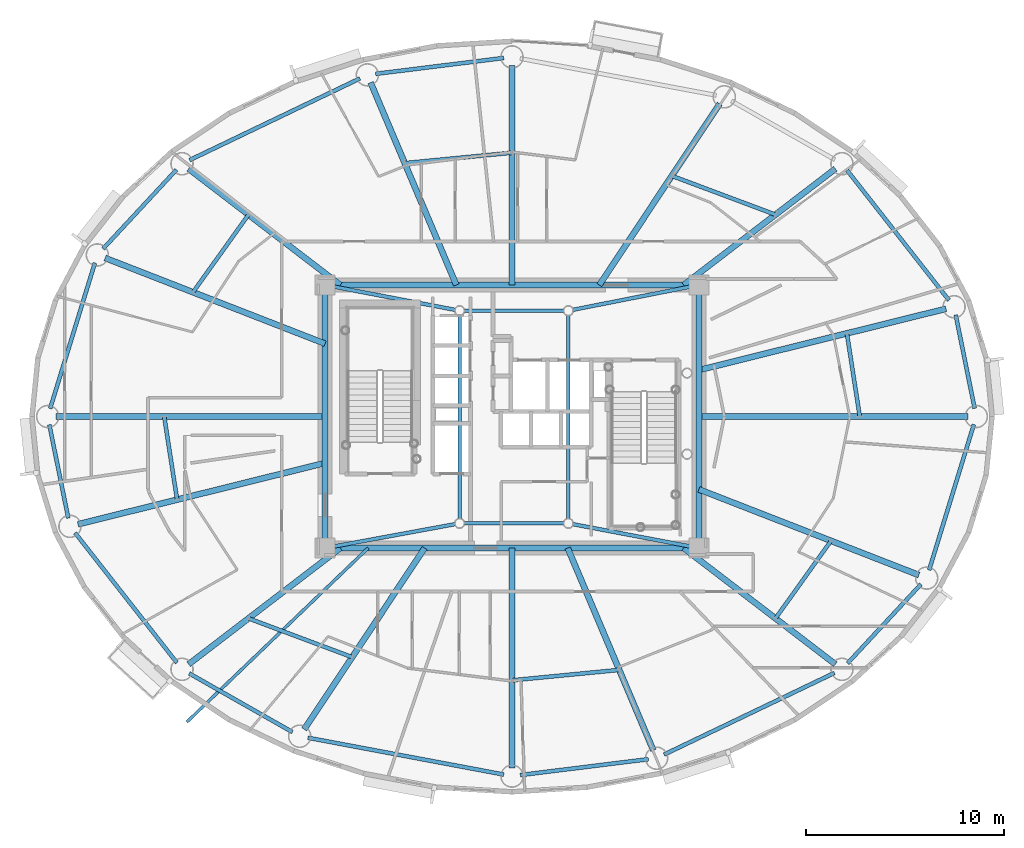
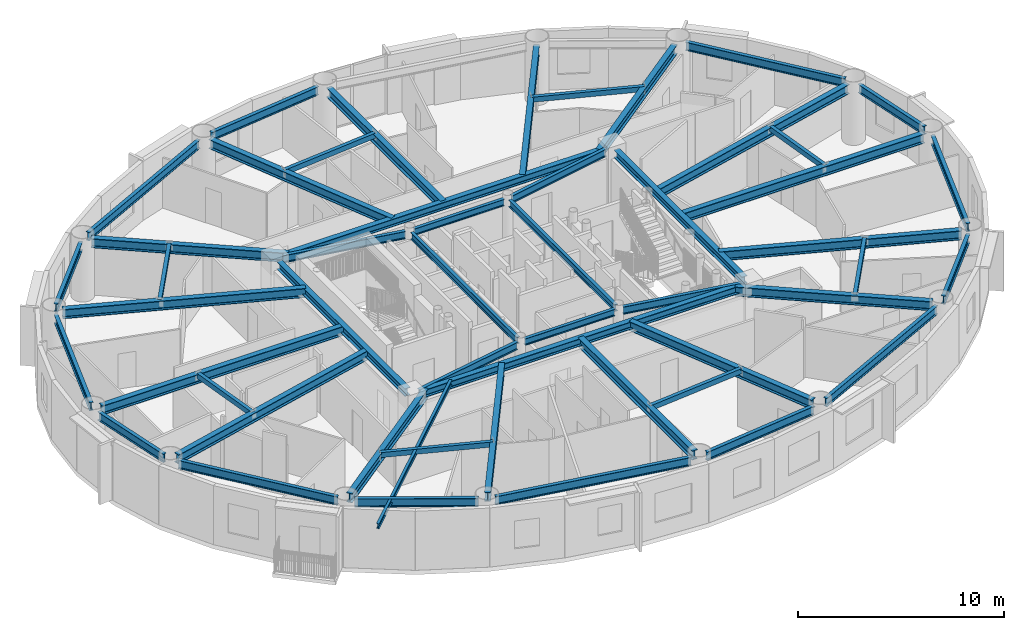
# One storey, part 3 of 20: 51 beams.
"""IFC4 building model written with IfcOpenShell, lengths in metres."""

from ifc_helpers import new_model, si_unit, direction, frame, origin, origin_2d, place, context, subcontext, project, spatial, hollow_rectangle, i_section, extrude, material, material_profile, profile_set, type_object, element, save


model = new_model("IFC4")

# Units and contexts
model_context = context("Model", 3, precision=1e-05, world=origin(), true_north=direction((0.0, 1.0)))
body_context = subcontext(model_context, "Body", "Model", "MODEL_VIEW")
ifc_project = project(units=[si_unit("LENGTHUNIT", "METRE"), si_unit("AREAUNIT", "SQUARE_METRE"), si_unit("VOLUMEUNIT", "CUBIC_METRE"), si_unit("PLANEANGLEUNIT", "RADIAN"), si_unit("MASSUNIT", "GRAM", prefix="KILO")], contexts=[model_context])

# Site, building, storey
site_placement = place(None, origin())
site = spatial("IfcSite", under=ifc_project, at=site_placement, CompositionType="ELEMENT")
building_placement = place(site_placement, origin())
building = spatial("IfcBuilding", under=site, at=building_placement, Name="Linh Dai School and Residence Tower", CompositionType="ELEMENT")
storey_placement = place(building_placement, frame((0.0, 0.0, 232.800048828125)))
storey = spatial("IfcBuildingStorey", under=building, at=storey_placement, Name="L57", CompositionType="ELEMENT", Elevation=232.800048828125)

# Beams
ifc_material = material(Name="Structural Steel S355JR", Category="steel")
ifc_material_profile_1 = material_profile(ifc_material, i_section(OverallWidth=0.14990234375, OverallDepth=0.300048828125, WebThickness=0.007080078125, FlangeThickness=0.0107421875, at=origin_2d()), Name="IPE 300")
ifc_profile_set_1 = profile_set([ifc_material_profile_1], Name="Structural Steel S355JR")
beam_type_1 = type_object("IfcBeamType", Name="BM-BALC-CANT", PredefinedType="BEAM", material=ifc_profile_set_1)
beam_1_placement = place(storey_placement, frame((28.72607421875, 20.35009765625, 3.349853515625), z_axis=(-0.7215581557, -0.692353831464, 0.0), x_axis=(0.692353831464, -0.7215581557, 0.0)))
element("IfcBeam", 1, at=beam_1_placement, inside=storey, type_object=beam_type_1, Name="L58 Balcony Continuous Cantilever Beam 26", PredefinedType="BEAM", context=body_context, shape_type="SweptSolid", body=[
    extrude(i_section(OverallWidth=0.14990234375, OverallDepth=0.300048828125, WebThickness=0.007080078125, FlangeThickness=0.0107421875, at=origin_2d()), origin(), (0.0, 0.0, 1.0), 12.706787109375),
])
ifc_material_profile_2 = material_profile(ifc_material, hollow_rectangle(XDim=0.199951171875, YDim=0.300048828125, WallThickness=0.010009765625, at=origin_2d()), Name="RHS 300x200x10")
ifc_profile_set_2 = profile_set([ifc_material_profile_2], Name="Structural Steel S355JR")
beam_type_2 = type_object("IfcBeamType", Name="BM-BX3", PredefinedType="BEAM", material=ifc_profile_set_2)
beam_2_placement = place(storey_placement, frame((53.583740234375, 27.0048828125, 3.349853515625), z_axis=(-0.153185278766, 0.988197485511, 0.0), x_axis=(-0.988197485511, -0.153185278766, 0.0)))
element("IfcBeam", 2, at=beam_2_placement, inside=storey, type_object=beam_type_2, Name="L57 Secondary Circumferential Floor Beam 01", PredefinedType="BEAM", context=body_context, shape_type="SweptSolid", body=[
    extrude(hollow_rectangle(XDim=0.199951171875, YDim=0.300048828125, WallThickness=0.010009765625, at=origin_2d()), origin(), (0.0, 0.0, 1.0), 4.244140625),
])
beam_3_placement = place(storey_placement, frame((49.3173828125, 37.207763671875, 3.349853515625), z_axis=(-0.936542736839, 0.350553422567, 0.0), x_axis=(-0.350553422567, -0.936542736839, 0.0)))
element("IfcBeam", 3, at=beam_3_placement, inside=storey, type_object=beam_type_2, Name="L57 Secondary Circumferential Floor Beam 02", PredefinedType="BEAM", context=body_context, shape_type="SweptSolid", body=[
    extrude(hollow_rectangle(XDim=0.199951171875, YDim=0.300048828125, WallThickness=0.010009765625, at=origin_2d()), origin(), (0.0, 0.0, 1.0), 5.586181640625),
])
beam_4_placement = place(storey_placement, frame((35.9951171875, 40.3369140625, 3.349853515625), z_axis=(-0.99533180868, -0.096512126851, 0.0), x_axis=(0.096512126851, -0.99533180868, 0.0)))
element("IfcBeam", 4, at=beam_4_placement, inside=storey, type_object=beam_type_2, Name="L57 Secondary Circumferential Floor Beam 03", PredefinedType="BEAM", context=body_context, shape_type="SweptSolid", body=[
    extrude(hollow_rectangle(XDim=0.199951171875, YDim=0.300048828125, WallThickness=0.010009765625, at=origin_2d()), origin(), (0.0, 0.0, 1.0), 5.438720703125),
])
beam_5_placement = place(storey_placement, frame((22.675048828125, 37.201904296875, 3.349853515625), z_axis=(-0.582034525951, -0.813164073605, 0.0), x_axis=(0.813164073605, -0.582034525951, 0.0)))
element("IfcBeam", 5, at=beam_5_placement, inside=storey, type_object=beam_type_2, Name="L57 Secondary Circumferential Floor Beam 04", PredefinedType="BEAM", context=body_context, shape_type="SweptSolid", body=[
    extrude(hollow_rectangle(XDim=0.199951171875, YDim=0.300048828125, WallThickness=0.010009765625, at=origin_2d()), origin(), (0.0, 0.0, 1.0), 4.8125),
])
beam_6_placement = place(storey_placement, frame((18.416259765625, 26.9951171875, 3.349853515625), z_axis=(0.153185278766, -0.988197485511, 0.0), x_axis=(0.988197485511, 0.153185278766, 0.0)))
element("IfcBeam", 6, at=beam_6_placement, inside=storey, type_object=beam_type_2, Name="L57 Secondary Circumferential Floor Beam 05", PredefinedType="BEAM", context=body_context, shape_type="SweptSolid", body=[
    extrude(hollow_rectangle(XDim=0.199951171875, YDim=0.300048828125, WallThickness=0.010009765625, at=origin_2d()), origin(), (0.0, 0.0, 1.0), 4.244140625),
])
beam_7_placement = place(storey_placement, frame((22.6826171875, 16.792236328125, 3.349853515625), z_axis=(0.936542736839, -0.350553422567, 0.0), x_axis=(0.350553422567, 0.936542736839, 0.0)))
element("IfcBeam", 7, at=beam_7_placement, inside=storey, type_object=beam_type_2, Name="L57 Secondary Circumferential Floor Beam 06", PredefinedType="BEAM", context=body_context, shape_type="SweptSolid", body=[
    extrude(hollow_rectangle(XDim=0.199951171875, YDim=0.300048828125, WallThickness=0.010009765625, at=origin_2d()), origin(), (0.0, 0.0, 1.0), 5.586181640625),
])
beam_8_placement = place(storey_placement, frame((36.0048828125, 13.6630859375, 3.349853515625), z_axis=(0.99533180868, 0.096512126851, 0.0), x_axis=(-0.096512126851, 0.99533180868, 0.0)))
element("IfcBeam", 8, at=beam_8_placement, inside=storey, type_object=beam_type_2, Name="L57 Secondary Circumferential Floor Beam 07", PredefinedType="BEAM", context=body_context, shape_type="SweptSolid", body=[
    extrude(hollow_rectangle(XDim=0.199951171875, YDim=0.300048828125, WallThickness=0.010009765625, at=origin_2d()), origin(), (0.0, 0.0, 1.0), 5.438720703125),
])
beam_9_placement = place(storey_placement, frame((49.324951171875, 16.798095703125, 3.349853515625), z_axis=(0.582034525951, 0.813164073605, 0.0), x_axis=(-0.813164073605, 0.582034525951, 0.0)))
element("IfcBeam", 9, at=beam_9_placement, inside=storey, type_object=beam_type_2, Name="L57 Secondary Circumferential Floor Beam 08", PredefinedType="BEAM", context=body_context, shape_type="SweptSolid", body=[
    extrude(hollow_rectangle(XDim=0.199951171875, YDim=0.300048828125, WallThickness=0.010009765625, at=origin_2d()), origin(), (0.0, 0.0, 1.0), 4.8125),
])
ifc_material_profile_3 = material_profile(ifc_material, i_section(OverallWidth=0.199951171875, OverallDepth=0.5, WebThickness=0.01025390625, FlangeThickness=0.01611328125, FilletRadius=0.02099609375, at=origin_2d()), Name="IPE 500")
ifc_profile_set_3 = profile_set([ifc_material_profile_3], Name="Structural Steel S355JR")
beam_type_3 = type_object("IfcBeamType", Name="BM-RB50", PredefinedType="BEAM", material=ifc_profile_set_3)
beam_10_placement = place(storey_placement, frame((59.3916015625, 27.41162109375, 3.25), z_axis=(-0.198423200906, 0.980116438666, 0.0), x_axis=(-0.980116438666, -0.198423200906, 0.0)))
element("IfcBeam", 10, at=beam_10_placement, inside=storey, type_object=beam_type_3, Name="L57 Perimeter Elliptical Ring Beam 01", PredefinedType="BEAM", context=body_context, shape_type="SweptSolid", body=[
    extrude(i_section(OverallWidth=0.199951171875, OverallDepth=0.5, WebThickness=0.01025390625, FlangeThickness=0.01611328125, FilletRadius=0.02099609375, at=origin_2d()), origin(), (0.0, 0.0, 1.0), 4.822021484375),
])
beam_11_placement = place(storey_placement, frame((58.09228515625, 32.8798828125, 3.25), z_axis=(-0.616900268003, 0.787041332674, 0.0), x_axis=(-0.787041332674, -0.616900268003, 0.0)))
element("IfcBeam", 11, at=beam_11_placement, inside=storey, type_object=beam_type_3, Name="L57 Perimeter Elliptical Ring Beam 02", PredefinedType="BEAM", context=body_context, shape_type="SweptSolid", body=[
    extrude(i_section(OverallWidth=0.199951171875, OverallDepth=0.5, WebThickness=0.01025390625, FlangeThickness=0.01611328125, FilletRadius=0.02099609375, at=origin_2d()), origin(), (0.0, 0.0, 1.0), 8.348388671875),
])
beam_12_placement = place(storey_placement, frame((35.583251953125, 45.12841796875, 3.25), z_axis=(-0.992401656104, -0.123040452539, 0.0), x_axis=(0.123040452539, -0.992401656104, 0.0)))
element("IfcBeam", 12, at=beam_12_placement, inside=storey, type_object=beam_type_3, Name="L57 Perimeter Elliptical Ring Beam 05", PredefinedType="BEAM", context=body_context, shape_type="SweptSolid", body=[
    extrude(i_section(OverallWidth=0.199951171875, OverallDepth=0.5, WebThickness=0.01025390625, FlangeThickness=0.01611328125, FilletRadius=0.02099609375, at=origin_2d()), origin(), (0.0, 0.0, 1.0), 6.528076171875),
])
beam_13_placement = place(storey_placement, frame((28.309326171875, 44.092041015625, 3.25), z_axis=(-0.901735920201, -0.432287323686, 0.0), x_axis=(0.432287323686, -0.901735920201, 0.0)))
element("IfcBeam", 13, at=beam_13_placement, inside=storey, type_object=beam_type_3, Name="L57 Perimeter Elliptical Ring Beam 06", PredefinedType="BEAM", context=body_context, shape_type="SweptSolid", body=[
    extrude(i_section(OverallWidth=0.199951171875, OverallDepth=0.5, WebThickness=0.01025390625, FlangeThickness=0.01611328125, FilletRadius=0.02099609375, at=origin_2d()), origin(), (0.0, 0.0, 1.0), 9.552490234375),
])
beam_14_placement = place(storey_placement, frame((19.031005859375, 39.47314453125, 3.25), z_axis=(-0.68040816846, -0.732833353699, 0.0), x_axis=(0.732833353699, -0.68040816846, 0.0)))
element("IfcBeam", 14, at=beam_14_placement, inside=storey, type_object=beam_type_3, Name="L57 Perimeter Elliptical Ring Beam 07", PredefinedType="BEAM", context=body_context, shape_type="SweptSolid", body=[
    extrude(i_section(OverallWidth=0.199951171875, OverallDepth=0.5, WebThickness=0.01025390625, FlangeThickness=0.01611328125, FilletRadius=0.02099609375, at=origin_2d()), origin(), (0.0, 0.0, 1.0), 5.453369140625),
])
beam_15_placement = place(storey_placement, frame((14.911376953125, 34.767578125, 3.25), z_axis=(-0.293660595717, -0.95590975229, 0.0), x_axis=(0.95590975229, -0.293660595717, 0.0)))
element("IfcBeam", 15, at=beam_15_placement, inside=storey, type_object=beam_type_3, Name="L57 Perimeter Elliptical Ring Beam 08", PredefinedType="BEAM", context=body_context, shape_type="SweptSolid", body=[
    extrude(i_section(OverallWidth=0.199951171875, OverallDepth=0.5, WebThickness=0.01025390625, FlangeThickness=0.01611328125, FilletRadius=0.02099609375, at=origin_2d()), origin(), (0.0, 0.0, 1.0), 7.7060546875),
])
beam_16_placement = place(storey_placement, frame((12.6083984375, 26.58837890625, 3.25), z_axis=(0.198423200906, -0.980116438666, 0.0), x_axis=(0.980116438666, 0.198423200906, 0.0)))
element("IfcBeam", 16, at=beam_16_placement, inside=storey, type_object=beam_type_3, Name="L57 Perimeter Elliptical Ring Beam 09", PredefinedType="BEAM", context=body_context, shape_type="SweptSolid", body=[
    extrude(i_section(OverallWidth=0.199951171875, OverallDepth=0.5, WebThickness=0.01025390625, FlangeThickness=0.01611328125, FilletRadius=0.02099609375, at=origin_2d()), origin(), (0.0, 0.0, 1.0), 4.822021484375),
])
beam_17_placement = place(storey_placement, frame((13.90771484375, 21.1201171875, 3.25), z_axis=(0.616900268003, -0.787041332674, 0.0), x_axis=(0.787041332674, 0.616900268003, 0.0)))
element("IfcBeam", 17, at=beam_17_placement, inside=storey, type_object=beam_type_3, Name="L57 Perimeter Elliptical Ring Beam 10", PredefinedType="BEAM", context=body_context, shape_type="SweptSolid", body=[
    extrude(i_section(OverallWidth=0.199951171875, OverallDepth=0.5, WebThickness=0.01025390625, FlangeThickness=0.01611328125, FilletRadius=0.02099609375, at=origin_2d()), origin(), (0.0, 0.0, 1.0), 8.348388671875),
])
beam_18_placement = place(storey_placement, frame((19.681884765625, 14.011474609375, 3.25), z_axis=(0.869297314463, -0.494289570058, 0.0), x_axis=(0.494289570058, 0.869297314463, 0.0)))
element("IfcBeam", 18, at=beam_18_placement, inside=storey, type_object=beam_type_3, Name="L57 Perimeter Elliptical Ring Beam 11", PredefinedType="BEAM", context=body_context, shape_type="SweptSolid", body=[
    extrude(i_section(OverallWidth=0.199951171875, OverallDepth=0.5, WebThickness=0.01025390625, FlangeThickness=0.01611328125, FilletRadius=0.02099609375, at=origin_2d()), origin(), (0.0, 0.0, 1.0), 6.003173828125),
])
beam_19_placement = place(storey_placement, frame((25.67822265625, 10.759033203125, 3.25), z_axis=(0.982806607762, -0.184637947722, 0.0), x_axis=(0.184637947722, 0.982806607762, 0.0)))
element("IfcBeam", 19, at=beam_19_placement, inside=storey, type_object=beam_type_3, Name="L57 Perimeter Elliptical Ring Beam 12", PredefinedType="BEAM", context=body_context, shape_type="SweptSolid", body=[
    extrude(i_section(OverallWidth=0.199951171875, OverallDepth=0.5, WebThickness=0.01025390625, FlangeThickness=0.01611328125, FilletRadius=0.02099609375, at=origin_2d()), origin(), (0.0, 0.0, 1.0), 10.082275390625),
])
beam_20_placement = place(storey_placement, frame((36.416748046875, 8.87158203125, 3.25), z_axis=(0.992401656104, 0.123040452539, 0.0), x_axis=(-0.123040452539, 0.992401656104, 0.0)))
element("IfcBeam", 20, at=beam_20_placement, inside=storey, type_object=beam_type_3, Name="L57 Perimeter Elliptical Ring Beam 13", PredefinedType="BEAM", context=body_context, shape_type="SweptSolid", body=[
    extrude(i_section(OverallWidth=0.199951171875, OverallDepth=0.5, WebThickness=0.01025390625, FlangeThickness=0.01611328125, FilletRadius=0.02099609375, at=origin_2d()), origin(), (0.0, 0.0, 1.0), 6.528076171875),
])
beam_21_placement = place(storey_placement, frame((43.690673828125, 9.907958984375, 3.25), z_axis=(0.901735920201, 0.432287323686, 0.0), x_axis=(-0.432287323686, 0.901735920201, 0.0)))
element("IfcBeam", 21, at=beam_21_placement, inside=storey, type_object=beam_type_3, Name="L57 Perimeter Elliptical Ring Beam 14", PredefinedType="BEAM", context=body_context, shape_type="SweptSolid", body=[
    extrude(i_section(OverallWidth=0.199951171875, OverallDepth=0.5, WebThickness=0.01025390625, FlangeThickness=0.01611328125, FilletRadius=0.02099609375, at=origin_2d()), origin(), (0.0, 0.0, 1.0), 9.552490234375),
])
beam_22_placement = place(storey_placement, frame((52.968994140625, 14.52685546875, 3.25), z_axis=(0.68040816846, 0.732833353699, 0.0), x_axis=(-0.732833353699, 0.68040816846, 0.0)))
element("IfcBeam", 22, at=beam_22_placement, inside=storey, type_object=beam_type_3, Name="L57 Perimeter Elliptical Ring Beam 15", PredefinedType="BEAM", context=body_context, shape_type="SweptSolid", body=[
    extrude(i_section(OverallWidth=0.199951171875, OverallDepth=0.5, WebThickness=0.01025390625, FlangeThickness=0.01611328125, FilletRadius=0.02099609375, at=origin_2d()), origin(), (0.0, 0.0, 1.0), 5.453369140625),
])
beam_23_placement = place(storey_placement, frame((57.088623046875, 19.232421875, 3.25), z_axis=(0.293660595717, 0.95590975229, 0.0), x_axis=(-0.95590975229, 0.293660595717, 0.0)))
element("IfcBeam", 23, at=beam_23_placement, inside=storey, type_object=beam_type_3, Name="L57 Perimeter Elliptical Ring Beam 16", PredefinedType="BEAM", context=body_context, shape_type="SweptSolid", body=[
    extrude(i_section(OverallWidth=0.199951171875, OverallDepth=0.5, WebThickness=0.01025390625, FlangeThickness=0.01611328125, FilletRadius=0.02099609375, at=origin_2d()), origin(), (0.0, 0.0, 1.0), 7.7060546875),
])
ifc_material_profile_4 = material_profile(ifc_material, i_section(OverallWidth=0.300048828125, OverallDepth=0.449951171875, WebThickness=0.013916015625, FlangeThickness=0.02587890625, FilletRadius=0.027099609375, at=origin_2d()), Name="HEB 450")
ifc_profile_set_4 = profile_set([ifc_material_profile_4], Name="Structural Steel S355JR")
beam_type_4 = type_object("IfcBeamType", Name="BM-RG45", PredefinedType="BEAM", material=ifc_profile_set_4)
beam_24_placement = place(storey_placement, frame((26.969970703125, 20.35009765625, 3.27490234375), z_axis=(1.0, 0.0, 0.0), x_axis=(0.0, 1.0, 0.0)))
element("IfcBeam", 24, at=beam_24_placement, inside=storey, type_object=beam_type_4, Name="L57 Core Perimeter Coupling Girder 1", PredefinedType="BEAM", context=body_context, shape_type="SweptSolid", body=[
    extrude(i_section(OverallWidth=0.300048828125, OverallDepth=0.449951171875, WebThickness=0.013916015625, FlangeThickness=0.02587890625, FilletRadius=0.027099609375, at=origin_2d()), origin(), (0.0, 0.0, 1.0), 18.06005859375),
])
beam_25_placement = place(storey_placement, frame((45.449951171875, 20.77001953125, 3.27490234375), z_axis=(0.0, 1.0, 0.0), x_axis=(-1.0, 0.0, 0.0)))
element("IfcBeam", 25, at=beam_25_placement, inside=storey, type_object=beam_type_4, Name="L57 Core Perimeter Coupling Girder 2", PredefinedType="BEAM", context=body_context, shape_type="SweptSolid", body=[
    extrude(i_section(OverallWidth=0.300048828125, OverallDepth=0.449951171875, WebThickness=0.013916015625, FlangeThickness=0.02587890625, FilletRadius=0.027099609375, at=origin_2d()), origin(), (0.0, 0.0, 1.0), 12.4599609375),
])
beam_26_placement = place(storey_placement, frame((45.030029296875, 33.64990234375, 3.27490234375), z_axis=(-1.0, 0.0, 0.0), x_axis=(0.0, -1.0, 0.0)))
element("IfcBeam", 26, at=beam_26_placement, inside=storey, type_object=beam_type_4, Name="L57 Core Perimeter Coupling Girder 3", PredefinedType="BEAM", context=body_context, shape_type="SweptSolid", body=[
    extrude(i_section(OverallWidth=0.300048828125, OverallDepth=0.449951171875, WebThickness=0.013916015625, FlangeThickness=0.02587890625, FilletRadius=0.027099609375, at=origin_2d()), origin(), (0.0, 0.0, 1.0), 18.06005859375),
])
beam_27_placement = place(storey_placement, frame((26.550048828125, 33.22998046875, 3.27490234375), z_axis=(0.0, -1.0, 0.0), x_axis=(1.0, 0.0, 0.0)))
element("IfcBeam", 27, at=beam_27_placement, inside=storey, type_object=beam_type_4, Name="L57 Core Perimeter Coupling Girder 4", PredefinedType="BEAM", context=body_context, shape_type="SweptSolid", body=[
    extrude(i_section(OverallWidth=0.300048828125, OverallDepth=0.449951171875, WebThickness=0.013916015625, FlangeThickness=0.02587890625, FilletRadius=0.027099609375, at=origin_2d()), origin(), (0.0, 0.0, 1.0), 12.4599609375),
])
ifc_material_profile_5 = material_profile(ifc_material, i_section(OverallWidth=0.300048828125, OverallDepth=0.550048828125, WebThickness=0.014892578125, FlangeThickness=0.029052734375, FilletRadius=0.027099609375, at=origin_2d()), Name="HEB 550")
ifc_profile_set_5 = profile_set([ifc_material_profile_5], Name="Structural Steel S355JR")
beam_type_5 = type_object("IfcBeamType", Name="BM-RG55", PredefinedType="BEAM", material=ifc_profile_set_5)
beam_28_placement = place(storey_placement, frame((45.449951171875, 27.0, 3.224853515625), z_axis=(1.0, 0.0, 0.0), x_axis=(0.0, 1.0, 0.0)))
element("IfcBeam", 28, at=beam_28_placement, inside=storey, type_object=beam_type_5, Name="L57 Primary Radial Floor Girder 01", PredefinedType="BEAM", context=body_context, shape_type="SweptSolid", body=[
    extrude(i_section(OverallWidth=0.300048828125, OverallDepth=0.550048828125, WebThickness=0.014892578125, FlangeThickness=0.029052734375, FilletRadius=0.027099609375, at=origin_2d()), origin(), (0.0, 0.0, 1.0), 13.60498046875),
])
beam_29_placement = place(storey_placement, frame((45.449951171875, 29.34619140625, 3.224853515625), z_axis=(0.970537241974, 0.240951160904, 0.0), x_axis=(-0.240951160904, 0.970537241974, 0.0)))
element("IfcBeam", 29, at=beam_29_placement, inside=storey, type_object=beam_type_5, Name="L57 Primary Radial Floor Girder 02", PredefinedType="BEAM", context=body_context, shape_type="SweptSolid", body=[
    extrude(i_section(OverallWidth=0.300048828125, OverallDepth=0.550048828125, WebThickness=0.014892578125, FlangeThickness=0.029052734375, FilletRadius=0.027099609375, at=origin_2d()), origin(), (0.0, 0.0, 1.0), 12.873291015625),
])
beam_30_placement = place(storey_placement, frame((44.680419921875, 33.64990234375, 3.224853515625), z_axis=(0.793814553483, 0.608159892363, 0.0), x_axis=(-0.608159892363, 0.793814553483, 0.0)))
element("IfcBeam", 30, at=beam_30_placement, inside=storey, type_object=beam_type_5, Name="L57 Primary Radial Floor Girder 03", PredefinedType="BEAM", context=body_context, shape_type="SweptSolid", body=[
    extrude(i_section(OverallWidth=0.300048828125, OverallDepth=0.550048828125, WebThickness=0.014892578125, FlangeThickness=0.029052734375, FilletRadius=0.027099609375, at=origin_2d()), origin(), (0.0, 0.0, 1.0), 9.661376953125),
])
beam_31_placement = place(storey_placement, frame((40.41650390625, 33.64990234375, 3.224853515625), z_axis=(0.553219177991, 0.833035738191, 0.0), x_axis=(-0.833035738191, 0.553219177991, 0.0)))
element("IfcBeam", 31, at=beam_31_placement, inside=storey, type_object=beam_type_5, Name="L57 Primary Radial Floor Girder 04", PredefinedType="BEAM", context=body_context, shape_type="SweptSolid", body=[
    extrude(i_section(OverallWidth=0.300048828125, OverallDepth=0.550048828125, WebThickness=0.014892578125, FlangeThickness=0.029052734375, FilletRadius=0.027099609375, at=origin_2d()), origin(), (0.0, 0.0, 1.0), 11.00048828125),
])
beam_32_placement = place(storey_placement, frame((36.0, 33.64990234375, 3.224853515625), z_axis=(0.0, 1.0, 0.0), x_axis=(-1.0, 0.0, 0.0)))
element("IfcBeam", 32, at=beam_32_placement, inside=storey, type_object=beam_type_5, Name="L57 Primary Radial Floor Girder 05", PredefinedType="BEAM", context=body_context, shape_type="SweptSolid", body=[
    extrude(i_section(OverallWidth=0.300048828125, OverallDepth=0.550048828125, WebThickness=0.014892578125, FlangeThickness=0.029052734375, FilletRadius=0.027099609375, at=origin_2d()), origin(), (0.0, 0.0, 1.0), 11.110107421875),
])
beam_33_placement = place(storey_placement, frame((33.18505859375, 33.64990234375, 3.224853515625), z_axis=(-0.389814803082, 0.920893272479, 0.0), x_axis=(-0.920893272479, -0.389814803082, 0.0)))
element("IfcBeam", 33, at=beam_33_placement, inside=storey, type_object=beam_type_5, Name="L57 Primary Radial Floor Girder 06", PredefinedType="BEAM", context=body_context, shape_type="SweptSolid", body=[
    extrude(i_section(OverallWidth=0.300048828125, OverallDepth=0.550048828125, WebThickness=0.014892578125, FlangeThickness=0.029052734375, FilletRadius=0.027099609375, at=origin_2d()), origin(), (0.0, 0.0, 1.0), 11.1162109375),
])
beam_34_placement = place(storey_placement, frame((27.319580078125, 33.64990234375, 3.224853515625), z_axis=(-0.793814553483, 0.608159892363, 0.0), x_axis=(-0.608159892363, -0.793814553483, 0.0)))
element("IfcBeam", 34, at=beam_34_placement, inside=storey, type_object=beam_type_5, Name="L57 Primary Radial Floor Girder 07", PredefinedType="BEAM", context=body_context, shape_type="SweptSolid", body=[
    extrude(i_section(OverallWidth=0.300048828125, OverallDepth=0.550048828125, WebThickness=0.014892578125, FlangeThickness=0.029052734375, FilletRadius=0.027099609375, at=origin_2d()), origin(), (0.0, 0.0, 1.0), 9.661376953125),
])
beam_35_placement = place(storey_placement, frame((26.550048828125, 30.68212890625, 3.224853515625), z_axis=(-0.931764994123, 0.363061972295, 0.0), x_axis=(-0.363061972295, -0.931764994123, 0.0)))
element("IfcBeam", 35, at=beam_35_placement, inside=storey, type_object=beam_type_5, Name="L57 Primary Radial Floor Girder 08", PredefinedType="BEAM", context=body_context, shape_type="SweptSolid", body=[
    extrude(i_section(OverallWidth=0.300048828125, OverallDepth=0.550048828125, WebThickness=0.014892578125, FlangeThickness=0.029052734375, FilletRadius=0.027099609375, at=origin_2d()), origin(), (0.0, 0.0, 1.0), 11.938720703125),
])
beam_36_placement = place(storey_placement, frame((26.550048828125, 27.0, 3.224853515625), z_axis=(-1.0, 0.0, 0.0), x_axis=(0.0, -1.0, 0.0)))
element("IfcBeam", 36, at=beam_36_placement, inside=storey, type_object=beam_type_5, Name="L57 Primary Radial Floor Girder 09", PredefinedType="BEAM", context=body_context, shape_type="SweptSolid", body=[
    extrude(i_section(OverallWidth=0.300048828125, OverallDepth=0.550048828125, WebThickness=0.014892578125, FlangeThickness=0.029052734375, FilletRadius=0.027099609375, at=origin_2d()), origin(), (0.0, 0.0, 1.0), 13.60498046875),
])
beam_37_placement = place(storey_placement, frame((26.550048828125, 24.65380859375, 3.224853515625), z_axis=(-0.970537241974, -0.240951160904, 0.0), x_axis=(0.240951160904, -0.970537241974, 0.0)))
element("IfcBeam", 37, at=beam_37_placement, inside=storey, type_object=beam_type_5, Name="L57 Primary Radial Floor Girder 10", PredefinedType="BEAM", context=body_context, shape_type="SweptSolid", body=[
    extrude(i_section(OverallWidth=0.300048828125, OverallDepth=0.550048828125, WebThickness=0.014892578125, FlangeThickness=0.029052734375, FilletRadius=0.027099609375, at=origin_2d()), origin(), (0.0, 0.0, 1.0), 12.873291015625),
])
beam_38_placement = place(storey_placement, frame((27.319580078125, 20.35009765625, 3.224853515625), z_axis=(-0.793814553483, -0.608159892363, 0.0), x_axis=(0.608159892363, -0.793814553483, 0.0)))
element("IfcBeam", 38, at=beam_38_placement, inside=storey, type_object=beam_type_5, Name="L57 Primary Radial Floor Girder 11", PredefinedType="BEAM", context=body_context, shape_type="SweptSolid", body=[
    extrude(i_section(OverallWidth=0.300048828125, OverallDepth=0.550048828125, WebThickness=0.014892578125, FlangeThickness=0.029052734375, FilletRadius=0.027099609375, at=origin_2d()), origin(), (0.0, 0.0, 1.0), 9.661376953125),
])
beam_39_placement = place(storey_placement, frame((31.58349609375, 20.35009765625, 3.224853515625), z_axis=(-0.553219177991, -0.833035738191, 0.0), x_axis=(0.833035738191, -0.553219177991, 0.0)))
element("IfcBeam", 39, at=beam_39_placement, inside=storey, type_object=beam_type_5, Name="L57 Primary Radial Floor Girder 12", PredefinedType="BEAM", context=body_context, shape_type="SweptSolid", body=[
    extrude(i_section(OverallWidth=0.300048828125, OverallDepth=0.550048828125, WebThickness=0.014892578125, FlangeThickness=0.029052734375, FilletRadius=0.027099609375, at=origin_2d()), origin(), (0.0, 0.0, 1.0), 11.00048828125),
])
beam_40_placement = place(storey_placement, frame((36.0, 20.35009765625, 3.224853515625), z_axis=(0.0, -1.0, 0.0), x_axis=(1.0, 0.0, 0.0)))
element("IfcBeam", 40, at=beam_40_placement, inside=storey, type_object=beam_type_5, Name="L57 Primary Radial Floor Girder 13", PredefinedType="BEAM", context=body_context, shape_type="SweptSolid", body=[
    extrude(i_section(OverallWidth=0.300048828125, OverallDepth=0.550048828125, WebThickness=0.014892578125, FlangeThickness=0.029052734375, FilletRadius=0.027099609375, at=origin_2d()), origin(), (0.0, 0.0, 1.0), 11.110107421875),
])
beam_41_placement = place(storey_placement, frame((38.81494140625, 20.35009765625, 3.224853515625), z_axis=(0.389814803082, -0.920893272479, 0.0), x_axis=(0.920893272479, 0.389814803082, 0.0)))
element("IfcBeam", 41, at=beam_41_placement, inside=storey, type_object=beam_type_5, Name="L57 Primary Radial Floor Girder 14", PredefinedType="BEAM", context=body_context, shape_type="SweptSolid", body=[
    extrude(i_section(OverallWidth=0.300048828125, OverallDepth=0.550048828125, WebThickness=0.014892578125, FlangeThickness=0.029052734375, FilletRadius=0.027099609375, at=origin_2d()), origin(), (0.0, 0.0, 1.0), 11.1162109375),
])
beam_42_placement = place(storey_placement, frame((44.680419921875, 20.35009765625, 3.224853515625), z_axis=(0.793814553483, -0.608159892363, 0.0), x_axis=(0.608159892363, 0.793814553483, 0.0)))
element("IfcBeam", 42, at=beam_42_placement, inside=storey, type_object=beam_type_5, Name="L57 Primary Radial Floor Girder 15", PredefinedType="BEAM", context=body_context, shape_type="SweptSolid", body=[
    extrude(i_section(OverallWidth=0.300048828125, OverallDepth=0.550048828125, WebThickness=0.014892578125, FlangeThickness=0.029052734375, FilletRadius=0.027099609375, at=origin_2d()), origin(), (0.0, 0.0, 1.0), 9.661376953125),
])
beam_43_placement = place(storey_placement, frame((45.449951171875, 23.31787109375, 3.224853515625), z_axis=(0.931764994123, -0.363061972295, 0.0), x_axis=(0.363061972295, 0.931764994123, 0.0)))
element("IfcBeam", 43, at=beam_43_placement, inside=storey, type_object=beam_type_5, Name="L57 Primary Radial Floor Girder 16", PredefinedType="BEAM", context=body_context, shape_type="SweptSolid", body=[
    extrude(i_section(OverallWidth=0.300048828125, OverallDepth=0.550048828125, WebThickness=0.014892578125, FlangeThickness=0.029052734375, FilletRadius=0.027099609375, at=origin_2d()), origin(), (0.0, 0.0, 1.0), 11.938720703125),
])
ifc_material_profile_6 = material_profile(ifc_material, i_section(OverallWidth=0.179931640625, OverallDepth=0.39990234375, WebThickness=0.008544921875, FlangeThickness=0.013427734375, FilletRadius=0.02099609375, at=origin_2d()), Name="IPE 400")
ifc_profile_set_6 = profile_set([ifc_material_profile_6], Name="Structural Steel S355JR")
beam_type_6 = type_object("IfcBeamType", Name="BM-SB40", PredefinedType="BEAM", material=ifc_profile_set_6)
beam_44_placement = place(storey_placement, frame((33.573974609375, 21.60009765625, 3.300048828125), z_axis=(1.0, 0.0, 0.0), x_axis=(0.0, 1.0, 0.0)))
element("IfcBeam", 44, at=beam_44_placement, inside=storey, type_object=beam_type_6, Name="L57 Core Mast Pier Tie Beam 1", PredefinedType="BEAM", context=body_context, shape_type="SweptSolid", body=[
    extrude(i_section(OverallWidth=0.179931640625, OverallDepth=0.39990234375, WebThickness=0.008544921875, FlangeThickness=0.013427734375, FilletRadius=0.02099609375, at=origin_2d()), origin(), (0.0, 0.0, 1.0), 5.052001953125),
])
beam_45_placement = place(storey_placement, frame((38.85009765625, 21.823974609375, 3.300048828125), z_axis=(0.0, 1.0, 0.0), x_axis=(-1.0, 0.0, 0.0)))
element("IfcBeam", 45, at=beam_45_placement, inside=storey, type_object=beam_type_6, Name="L57 Core Mast Pier Tie Beam 2", PredefinedType="BEAM", context=body_context, shape_type="SweptSolid", body=[
    extrude(i_section(OverallWidth=0.179931640625, OverallDepth=0.39990234375, WebThickness=0.008544921875, FlangeThickness=0.013427734375, FilletRadius=0.02099609375, at=origin_2d()), origin(), (0.0, 0.0, 1.0), 10.302001953125),
])
beam_46_placement = place(storey_placement, frame((38.6259765625, 32.35009765625, 3.300048828125), z_axis=(-1.0, 0.0, 0.0), x_axis=(0.0, -1.0, 0.0)))
element("IfcBeam", 46, at=beam_46_placement, inside=storey, type_object=beam_type_6, Name="L57 Core Mast Pier Tie Beam 3", PredefinedType="BEAM", context=body_context, shape_type="SweptSolid", body=[
    extrude(i_section(OverallWidth=0.179931640625, OverallDepth=0.39990234375, WebThickness=0.008544921875, FlangeThickness=0.013427734375, FilletRadius=0.02099609375, at=origin_2d()), origin(), (0.0, 0.0, 1.0), 5.052001953125),
])
beam_47_placement = place(storey_placement, frame((33.35009765625, 32.1259765625, 3.300048828125), z_axis=(0.0, -1.0, 0.0), x_axis=(1.0, 0.0, 0.0)))
element("IfcBeam", 47, at=beam_47_placement, inside=storey, type_object=beam_type_6, Name="L57 Core Mast Pier Tie Beam 4", PredefinedType="BEAM", context=body_context, shape_type="SweptSolid", body=[
    extrude(i_section(OverallWidth=0.179931640625, OverallDepth=0.39990234375, WebThickness=0.008544921875, FlangeThickness=0.013427734375, FilletRadius=0.02099609375, at=origin_2d()), origin(), (0.0, 0.0, 1.0), 10.302001953125),
])
ifc_material_profile_7 = material_profile(ifc_material, i_section(OverallWidth=0.18994140625, OverallDepth=0.449951171875, WebThickness=0.009521484375, FlangeThickness=0.0146484375, FilletRadius=0.02099609375, at=origin_2d()), Name="IPE 450")
ifc_profile_set_7 = profile_set([ifc_material_profile_7], Name="Structural Steel S355JR")
beam_type_7 = type_object("IfcBeamType", Name="BM-SB45", PredefinedType="BEAM", material=ifc_profile_set_7)
beam_48_placement = place(storey_placement, frame((26.963134765625, 20.426025390625, 3.27490234375), z_axis=(0.983521034508, 0.180793735182, 0.0), x_axis=(-0.180793735182, 0.983521034508, 0.0)))
element("IfcBeam", 48, at=beam_48_placement, inside=storey, type_object=beam_type_7, Name="L57 Core Corner-to-Mast Pier Beam 1", PredefinedType="BEAM", context=body_context, shape_type="SweptSolid", body=[
    extrude(i_section(OverallWidth=0.18994140625, OverallDepth=0.449951171875, WebThickness=0.009521484375, FlangeThickness=0.0146484375, FilletRadius=0.02099609375, at=origin_2d()), origin(), (0.0, 0.0, 1.0), 6.269775390625),
])
beam_49_placement = place(storey_placement, frame((45.037353515625, 20.42822265625, 3.27490234375), z_axis=(-0.982534706692, 0.186079418921, 0.0), x_axis=(-0.186079418921, -0.982534706692, 0.0)))
element("IfcBeam", 49, at=beam_49_placement, inside=storey, type_object=beam_type_7, Name="L57 Core Corner-to-Mast Pier Beam 2", PredefinedType="BEAM", context=body_context, shape_type="SweptSolid", body=[
    extrude(i_section(OverallWidth=0.18994140625, OverallDepth=0.449951171875, WebThickness=0.009521484375, FlangeThickness=0.0146484375, FilletRadius=0.02099609375, at=origin_2d()), origin(), (0.0, 0.0, 1.0), 6.0732421875),
])
beam_50_placement = place(storey_placement, frame((45.037841796875, 33.56884765625, 3.27490234375), z_axis=(-0.981147696489, -0.193259405138, 0.0), x_axis=(0.193259405138, -0.981147696489, 0.0)))
element("IfcBeam", 50, at=beam_50_placement, inside=storey, type_object=beam_type_7, Name="L57 Core Corner-to-Mast Pier Beam 3", PredefinedType="BEAM", context=body_context, shape_type="SweptSolid", body=[
    extrude(i_section(OverallWidth=0.18994140625, OverallDepth=0.449951171875, WebThickness=0.009521484375, FlangeThickness=0.0146484375, FilletRadius=0.02099609375, at=origin_2d()), origin(), (0.0, 0.0, 1.0), 6.082763671875),
])
beam_51_placement = place(storey_placement, frame((26.962646484375, 33.571044921875, 3.27490234375), z_axis=(0.982214129725, -0.187764222812, 0.0), x_axis=(0.187764222812, 0.982214129725, 0.0)))
element("IfcBeam", 51, at=beam_51_placement, inside=storey, type_object=beam_type_7, Name="L57 Core Corner-to-Mast Pier Beam 4", PredefinedType="BEAM", context=body_context, shape_type="SweptSolid", body=[
    extrude(i_section(OverallWidth=0.18994140625, OverallDepth=0.449951171875, WebThickness=0.009521484375, FlangeThickness=0.0146484375, FilletRadius=0.02099609375, at=origin_2d()), origin(), (0.0, 0.0, 1.0), 6.27880859375),
])

save(model, "model.ifc")
